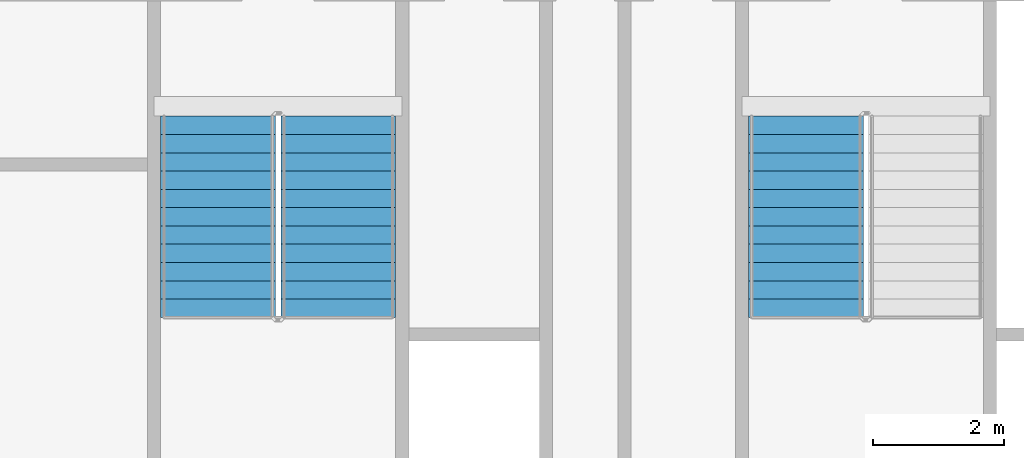
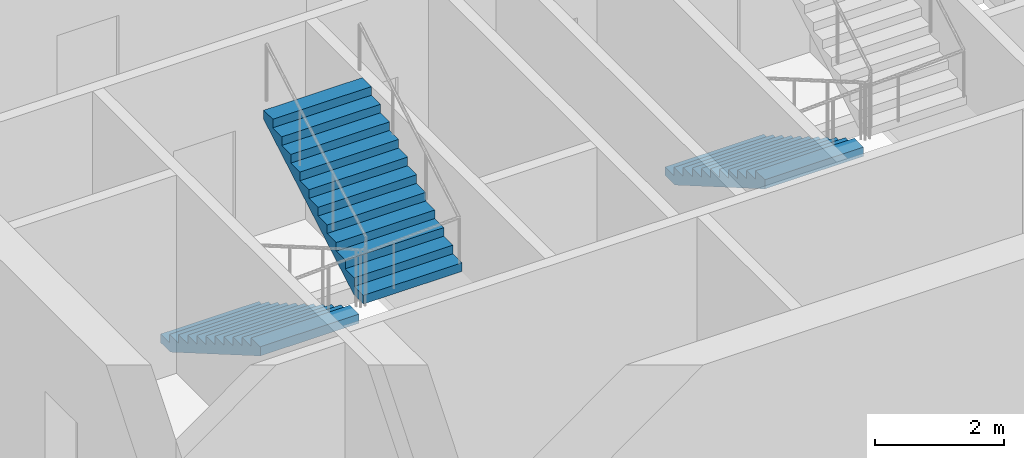
# One storey, part 14 of 21: 3 stair flights, 2 elements without a shape of their own.
"""IFC4 building model written with IfcOpenShell, lengths in metres."""

from ifc_helpers import new_model, si_unit, direction, frame, origin, place, context, subcontext, project, spatial, faceted_brep, material, type_object, element, aggregate, save


model = new_model("IFC4")

# Units and contexts
model_context = context("Model", 3, precision=1e-05, world=origin(), true_north=direction((0.0, 1.0)))
body_context = subcontext(model_context, "Body", "Model", "MODEL_VIEW")
ifc_project = project(units=[si_unit("LENGTHUNIT", "METRE"), si_unit("AREAUNIT", "SQUARE_METRE"), si_unit("VOLUMEUNIT", "CUBIC_METRE"), si_unit("PLANEANGLEUNIT", "RADIAN"), si_unit("MASSUNIT", "GRAM", prefix="KILO")], contexts=[model_context])

# Site, building, storey
site_placement = place(None, origin())
site = spatial("IfcSite", under=ifc_project, at=site_placement, CompositionType="ELEMENT")
building_placement = place(site_placement, origin())
building = spatial("IfcBuilding", under=site, at=building_placement, Name="Tarsis Ring Headquarters", CompositionType="ELEMENT")
storey_placement = place(building_placement, frame((0.0, 0.0, 223.800048828125)))
storey = spatial("IfcBuildingStorey", under=building, at=storey_placement, Name="L52", CompositionType="ELEMENT", Elevation=223.800048828125)

# Stair, stair flights
ifc_material_1 = material(Name="Core stair 1760")
stair_type = type_object("IfcStairType", Name="Core stair 1760", PredefinedType="HALF_TURN_STAIR", material=ifc_material_1)
stair_1_placement = place(storey_placement, origin())
stair_1 = element("IfcStair", 1, at=stair_1_placement, inside=storey, type_object=stair_type, Name="L52 Exit stair C", PredefinedType="HALF_TURN_STAIR")
ifc_material_2 = material(Name="Concrete C40/50", Category="concrete")
stair_flight_type = type_object("IfcStairFlightType", Name="Core stair flight 1760", PredefinedType="STRAIGHT", material=ifc_material_2)
stair_flight_1_placement = place(storey_placement, frame((-5.419921875, -3.659912109375, 0.0), z_axis=(0.0, 0.0, 1.0), x_axis=(0.0, -1.0, 0.0)))
stair_flight_1 = element("IfcStairFlight", 2, at=stair_flight_1_placement, type_object=stair_flight_type, Name="Stair ST3 flight 1", NumberOfRisers=12, NumberOfTreads=11, PredefinedType="STRAIGHT", RiserHeight=0.1625, TreadLength=0.28, context=body_context, shape_type="Brep", body=[
    faceted_brep([(0.0, 0.8798828125, 0.0), (0.0, 0.8798828125, 0.16259765625), (0.280029296875, 0.8798828125, 0.16259765625), (0.280029296875, 0.8798828125, 0.324951171875), (0.56005859375, 0.8798828125, 0.324951171875), (0.56005859375, 0.8798828125, 0.487548828125), (0.840087890625, 0.8798828125, 0.487548828125), (0.840087890625, 0.8798828125, 0.64990234375), (1.1201171875, 0.8798828125, 0.64990234375), (1.1201171875, 0.8798828125, 0.8125), (1.39990234375, 0.8798828125, 0.8125), (1.39990234375, 0.8798828125, 0.97509765625), (1.679931640625, 0.8798828125, 0.97509765625), (1.679931640625, 0.8798828125, 1.137451171875), (1.9599609375, 0.8798828125, 1.137451171875), (1.9599609375, 0.8798828125, 1.300048828125), (2.239990234375, 0.8798828125, 1.300048828125), (2.239990234375, 0.8798828125, 1.46240234375), (2.52001953125, 0.8798828125, 1.46240234375), (2.52001953125, 0.8798828125, 1.625), (2.800048828125, 0.8798828125, 1.625), (2.800048828125, 0.8798828125, 1.78759765625), (3.080078125, 0.8798828125, 1.78759765625), (3.080078125, 0.8798828125, 1.6142578125), (0.298583984375, 0.8798828125, 0.0), (0.298583984375, -0.8798828125, 0.0), (3.080078125, -0.8798828125, 1.6142578125), (3.080078125, -0.8798828125, 1.78759765625), (2.800048828125, -0.8798828125, 1.78759765625), (2.800048828125, -0.8798828125, 1.625), (2.52001953125, -0.8798828125, 1.625), (2.52001953125, -0.8798828125, 1.46240234375), (2.239990234375, -0.8798828125, 1.46240234375), (2.239990234375, -0.8798828125, 1.300048828125), (1.9599609375, -0.8798828125, 1.300048828125), (1.9599609375, -0.8798828125, 1.137451171875), (1.679931640625, -0.8798828125, 1.137451171875), (1.679931640625, -0.8798828125, 0.97509765625), (1.39990234375, -0.8798828125, 0.97509765625), (1.39990234375, -0.8798828125, 0.8125), (1.1201171875, -0.8798828125, 0.8125), (1.1201171875, -0.8798828125, 0.64990234375), (0.840087890625, -0.8798828125, 0.64990234375), (0.840087890625, -0.8798828125, 0.487548828125), (0.56005859375, -0.8798828125, 0.487548828125), (0.56005859375, -0.8798828125, 0.324951171875), (0.280029296875, -0.8798828125, 0.324951171875), (0.280029296875, -0.8798828125, 0.16259765625), (0.0, -0.8798828125, 0.16259765625), (0.0, -0.8798828125, 0.0), (0.0, -0.43994140625, 0.16259765625), (0.0, -0.43994140625, 0.0), (0.0, 0.0, 0.16259765625), (0.0, 0.0, 0.0), (0.0, 0.43994140625, 0.16259765625), (0.0, 0.43994140625, 0.0), (0.280029296875, -0.43994140625, 0.16259765625), (0.280029296875, 0.0, 0.16259765625), (0.280029296875, 0.43994140625, 0.16259765625), (0.280029296875, -0.43994140625, 0.324951171875), (0.280029296875, 0.0, 0.324951171875), (0.280029296875, 0.43994140625, 0.324951171875), (0.56005859375, -0.43994140625, 0.324951171875), (0.56005859375, 0.0, 0.324951171875), (0.56005859375, 0.43994140625, 0.324951171875), (0.56005859375, -0.43994140625, 0.487548828125), (0.56005859375, 0.0, 0.487548828125), (0.56005859375, 0.43994140625, 0.487548828125), (0.840087890625, -0.43994140625, 0.487548828125), (0.840087890625, 0.0, 0.487548828125), (0.840087890625, 0.43994140625, 0.487548828125), (0.840087890625, -0.43994140625, 0.64990234375), (0.840087890625, 0.0, 0.64990234375), (0.840087890625, 0.43994140625, 0.64990234375), (1.1201171875, -0.43994140625, 0.64990234375), (1.1201171875, 0.0, 0.64990234375), (1.1201171875, 0.43994140625, 0.64990234375), (1.1201171875, -0.43994140625, 0.8125), (1.1201171875, 0.0, 0.8125), (1.1201171875, 0.43994140625, 0.8125), (1.39990234375, -0.43994140625, 0.8125), (1.39990234375, 0.0, 0.8125), (1.39990234375, 0.43994140625, 0.8125), (1.39990234375, -0.43994140625, 0.97509765625), (1.39990234375, 0.0, 0.97509765625), (1.39990234375, 0.43994140625, 0.97509765625), (1.679931640625, -0.43994140625, 0.97509765625), (1.679931640625, 0.0, 0.97509765625), (1.679931640625, 0.43994140625, 0.97509765625), (1.679931640625, -0.43994140625, 1.137451171875), (1.679931640625, 0.0, 1.137451171875), (1.679931640625, 0.43994140625, 1.137451171875), (1.9599609375, -0.43994140625, 1.137451171875), (1.9599609375, 0.0, 1.137451171875), (1.9599609375, 0.43994140625, 1.137451171875), (1.9599609375, -0.43994140625, 1.300048828125), (1.9599609375, 0.0, 1.300048828125), (1.9599609375, 0.43994140625, 1.300048828125), (2.239990234375, -0.43994140625, 1.300048828125), (2.239990234375, 0.0, 1.300048828125), (2.239990234375, 0.43994140625, 1.300048828125), (2.239990234375, -0.43994140625, 1.46240234375), (2.239990234375, 0.0, 1.46240234375), (2.239990234375, 0.43994140625, 1.46240234375), (2.52001953125, -0.43994140625, 1.46240234375), (2.52001953125, 0.0, 1.46240234375), (2.52001953125, 0.43994140625, 1.46240234375), (2.52001953125, -0.43994140625, 1.625), (2.52001953125, 0.0, 1.625), (2.52001953125, 0.43994140625, 1.625), (2.800048828125, -0.43994140625, 1.625), (2.800048828125, 0.0, 1.625), (2.800048828125, 0.43994140625, 1.625), (2.800048828125, -0.43994140625, 1.78759765625), (2.800048828125, 0.0, 1.78759765625), (2.800048828125, 0.43994140625, 1.78759765625), (3.080078125, -0.43994140625, 1.78759765625), (3.080078125, 0.0, 1.78759765625), (3.080078125, 0.43994140625, 1.78759765625), (3.080078125, -0.43994140625, 1.6142578125), (3.080078125, 0.0, 1.6142578125), (3.080078125, 0.43994140625, 1.6142578125), (0.298583984375, -0.43994140625, 0.0), (0.298583984375, 0.0, 0.0), (0.298583984375, 0.43994140625, 0.0)], [[[0, 1, 2, 3, 4, 5, 6, 7, 8, 9, 10, 11, 12, 13, 14, 15, 16, 17, 18, 19, 20, 21, 22, 23, 24]], [[25, 26, 27, 28, 29, 30, 31, 32, 33, 34, 35, 36, 37, 38, 39, 40, 41, 42, 43, 44, 45, 46, 47, 48, 49]], [[49, 48, 50, 51]], [[51, 50, 52, 53]], [[53, 52, 54, 55]], [[55, 54, 1, 0]], [[48, 47, 56, 50]], [[50, 56, 57, 52]], [[52, 57, 58, 54]], [[54, 58, 2, 1]], [[47, 46, 59, 56]], [[56, 59, 60, 57]], [[57, 60, 61, 58]], [[58, 61, 3, 2]], [[46, 45, 62, 59]], [[59, 62, 63, 60]], [[60, 63, 64, 61]], [[61, 64, 4, 3]], [[45, 44, 65, 62]], [[62, 65, 66, 63]], [[63, 66, 67, 64]], [[64, 67, 5, 4]], [[44, 43, 68, 65]], [[65, 68, 69, 66]], [[66, 69, 70, 67]], [[67, 70, 6, 5]], [[43, 42, 71, 68]], [[68, 71, 72, 69]], [[69, 72, 73, 70]], [[70, 73, 7, 6]], [[42, 41, 74, 71]], [[71, 74, 75, 72]], [[72, 75, 76, 73]], [[73, 76, 8, 7]], [[41, 40, 77, 74]], [[74, 77, 78, 75]], [[75, 78, 79, 76]], [[76, 79, 9, 8]], [[40, 39, 80, 77]], [[77, 80, 81, 78]], [[78, 81, 82, 79]], [[79, 82, 10, 9]], [[39, 38, 83, 80]], [[80, 83, 84, 81]], [[81, 84, 85, 82]], [[82, 85, 11, 10]], [[38, 37, 86, 83]], [[83, 86, 87, 84]], [[84, 87, 88, 85]], [[85, 88, 12, 11]], [[37, 36, 89, 86]], [[86, 89, 90, 87]], [[87, 90, 91, 88]], [[88, 91, 13, 12]], [[36, 35, 92, 89]], [[89, 92, 93, 90]], [[90, 93, 94, 91]], [[91, 94, 14, 13]], [[35, 34, 95, 92]], [[92, 95, 96, 93]], [[93, 96, 97, 94]], [[94, 97, 15, 14]], [[34, 33, 98, 95]], [[95, 98, 99, 96]], [[96, 99, 100, 97]], [[97, 100, 16, 15]], [[33, 32, 101, 98]], [[98, 101, 102, 99]], [[99, 102, 103, 100]], [[100, 103, 17, 16]], [[32, 31, 104, 101]], [[101, 104, 105, 102]], [[102, 105, 106, 103]], [[103, 106, 18, 17]], [[31, 30, 107, 104]], [[104, 107, 108, 105]], [[105, 108, 109, 106]], [[106, 109, 19, 18]], [[30, 29, 110, 107]], [[107, 110, 111, 108]], [[108, 111, 112, 109]], [[109, 112, 20, 19]], [[29, 28, 113, 110]], [[110, 113, 114, 111]], [[111, 114, 115, 112]], [[112, 115, 21, 20]], [[28, 27, 116, 113]], [[113, 116, 117, 114]], [[114, 117, 118, 115]], [[115, 118, 22, 21]], [[27, 26, 119, 116]], [[116, 119, 120, 117]], [[117, 120, 121, 118]], [[118, 121, 23, 22]], [[26, 25, 122, 119]], [[119, 122, 123, 120]], [[120, 123, 124, 121]], [[121, 124, 24, 23]], [[25, 49, 51, 122]], [[122, 51, 53, 123]], [[123, 53, 55, 124]], [[124, 55, 0, 24]]]),
])
stair_flight_2_placement = place(storey_placement, frame((-3.580078125, -6.739990234375, 1.949951171875), z_axis=(0.0, 0.0, 1.0), x_axis=(0.0, 1.0, 0.0)))
stair_flight_2 = element("IfcStairFlight", 3, at=stair_flight_2_placement, type_object=stair_flight_type, Name="Stair ST3 flight 2", NumberOfRisers=12, NumberOfTreads=11, PredefinedType="STRAIGHT", RiserHeight=0.1625, TreadLength=0.28, context=body_context, shape_type="Brep", body=[
    faceted_brep([(0.0, 0.8798828125, 0.0), (0.0, 0.8798828125, 0.16259765625), (0.280029296875, 0.8798828125, 0.16259765625), (0.280029296875, 0.8798828125, 0.324951171875), (0.56005859375, 0.8798828125, 0.324951171875), (0.56005859375, 0.8798828125, 0.487548828125), (0.840087890625, 0.8798828125, 0.487548828125), (0.840087890625, 0.8798828125, 0.64990234375), (1.1201171875, 0.8798828125, 0.64990234375), (1.1201171875, 0.8798828125, 0.8125), (1.39990234375, 0.8798828125, 0.8125), (1.39990234375, 0.8798828125, 0.97509765625), (1.679931640625, 0.8798828125, 0.97509765625), (1.679931640625, 0.8798828125, 1.137451171875), (1.9599609375, 0.8798828125, 1.137451171875), (1.9599609375, 0.8798828125, 1.300048828125), (2.239990234375, 0.8798828125, 1.300048828125), (2.239990234375, 0.8798828125, 1.46240234375), (2.52001953125, 0.8798828125, 1.46240234375), (2.52001953125, 0.8798828125, 1.625), (2.800048828125, 0.8798828125, 1.625), (2.800048828125, 0.8798828125, 1.78759765625), (3.080078125, 0.8798828125, 1.78759765625), (3.080078125, 0.8798828125, 1.6142578125), (0.298583984375, 0.8798828125, 0.0), (0.298583984375, -0.8798828125, 0.0), (3.080078125, -0.8798828125, 1.6142578125), (3.080078125, -0.8798828125, 1.78759765625), (2.800048828125, -0.8798828125, 1.78759765625), (2.800048828125, -0.8798828125, 1.625), (2.52001953125, -0.8798828125, 1.625), (2.52001953125, -0.8798828125, 1.46240234375), (2.239990234375, -0.8798828125, 1.46240234375), (2.239990234375, -0.8798828125, 1.300048828125), (1.9599609375, -0.8798828125, 1.300048828125), (1.9599609375, -0.8798828125, 1.137451171875), (1.679931640625, -0.8798828125, 1.137451171875), (1.679931640625, -0.8798828125, 0.97509765625), (1.39990234375, -0.8798828125, 0.97509765625), (1.39990234375, -0.8798828125, 0.8125), (1.1201171875, -0.8798828125, 0.8125), (1.1201171875, -0.8798828125, 0.64990234375), (0.840087890625, -0.8798828125, 0.64990234375), (0.840087890625, -0.8798828125, 0.487548828125), (0.56005859375, -0.8798828125, 0.487548828125), (0.56005859375, -0.8798828125, 0.324951171875), (0.280029296875, -0.8798828125, 0.324951171875), (0.280029296875, -0.8798828125, 0.16259765625), (0.0, -0.8798828125, 0.16259765625), (0.0, -0.8798828125, 0.0), (0.0, -0.43994140625, 0.16259765625), (0.0, -0.43994140625, 0.0), (0.0, 0.0, 0.16259765625), (0.0, 0.0, 0.0), (0.0, 0.43994140625, 0.16259765625), (0.0, 0.43994140625, 0.0), (0.280029296875, -0.43994140625, 0.16259765625), (0.280029296875, 0.0, 0.16259765625), (0.280029296875, 0.43994140625, 0.16259765625), (0.280029296875, -0.43994140625, 0.324951171875), (0.280029296875, 0.0, 0.324951171875), (0.280029296875, 0.43994140625, 0.324951171875), (0.56005859375, -0.43994140625, 0.324951171875), (0.56005859375, 0.0, 0.324951171875), (0.56005859375, 0.43994140625, 0.324951171875), (0.56005859375, -0.43994140625, 0.487548828125), (0.56005859375, 0.0, 0.487548828125), (0.56005859375, 0.43994140625, 0.487548828125), (0.840087890625, -0.43994140625, 0.487548828125), (0.840087890625, 0.0, 0.487548828125), (0.840087890625, 0.43994140625, 0.487548828125), (0.840087890625, -0.43994140625, 0.64990234375), (0.840087890625, 0.0, 0.64990234375), (0.840087890625, 0.43994140625, 0.64990234375), (1.1201171875, -0.43994140625, 0.64990234375), (1.1201171875, 0.0, 0.64990234375), (1.1201171875, 0.43994140625, 0.64990234375), (1.1201171875, -0.43994140625, 0.8125), (1.1201171875, 0.0, 0.8125), (1.1201171875, 0.43994140625, 0.8125), (1.39990234375, -0.43994140625, 0.8125), (1.39990234375, 0.0, 0.8125), (1.39990234375, 0.43994140625, 0.8125), (1.39990234375, -0.43994140625, 0.97509765625), (1.39990234375, 0.0, 0.97509765625), (1.39990234375, 0.43994140625, 0.97509765625), (1.679931640625, -0.43994140625, 0.97509765625), (1.679931640625, 0.0, 0.97509765625), (1.679931640625, 0.43994140625, 0.97509765625), (1.679931640625, -0.43994140625, 1.137451171875), (1.679931640625, 0.0, 1.137451171875), (1.679931640625, 0.43994140625, 1.137451171875), (1.9599609375, -0.43994140625, 1.137451171875), (1.9599609375, 0.0, 1.137451171875), (1.9599609375, 0.43994140625, 1.137451171875), (1.9599609375, -0.43994140625, 1.300048828125), (1.9599609375, 0.0, 1.300048828125), (1.9599609375, 0.43994140625, 1.300048828125), (2.239990234375, -0.43994140625, 1.300048828125), (2.239990234375, 0.0, 1.300048828125), (2.239990234375, 0.43994140625, 1.300048828125), (2.239990234375, -0.43994140625, 1.46240234375), (2.239990234375, 0.0, 1.46240234375), (2.239990234375, 0.43994140625, 1.46240234375), (2.52001953125, -0.43994140625, 1.46240234375), (2.52001953125, 0.0, 1.46240234375), (2.52001953125, 0.43994140625, 1.46240234375), (2.52001953125, -0.43994140625, 1.625), (2.52001953125, 0.0, 1.625), (2.52001953125, 0.43994140625, 1.625), (2.800048828125, -0.43994140625, 1.625), (2.800048828125, 0.0, 1.625), (2.800048828125, 0.43994140625, 1.625), (2.800048828125, -0.43994140625, 1.78759765625), (2.800048828125, 0.0, 1.78759765625), (2.800048828125, 0.43994140625, 1.78759765625), (3.080078125, -0.43994140625, 1.78759765625), (3.080078125, 0.0, 1.78759765625), (3.080078125, 0.43994140625, 1.78759765625), (3.080078125, -0.43994140625, 1.6142578125), (3.080078125, 0.0, 1.6142578125), (3.080078125, 0.43994140625, 1.6142578125), (0.298583984375, -0.43994140625, 0.0), (0.298583984375, 0.0, 0.0), (0.298583984375, 0.43994140625, 0.0)], [[[0, 1, 2, 3, 4, 5, 6, 7, 8, 9, 10, 11, 12, 13, 14, 15, 16, 17, 18, 19, 20, 21, 22, 23, 24]], [[25, 26, 27, 28, 29, 30, 31, 32, 33, 34, 35, 36, 37, 38, 39, 40, 41, 42, 43, 44, 45, 46, 47, 48, 49]], [[49, 48, 50, 51]], [[51, 50, 52, 53]], [[53, 52, 54, 55]], [[55, 54, 1, 0]], [[48, 47, 56, 50]], [[50, 56, 57, 52]], [[52, 57, 58, 54]], [[54, 58, 2, 1]], [[47, 46, 59, 56]], [[56, 59, 60, 57]], [[57, 60, 61, 58]], [[58, 61, 3, 2]], [[46, 45, 62, 59]], [[59, 62, 63, 60]], [[60, 63, 64, 61]], [[61, 64, 4, 3]], [[45, 44, 65, 62]], [[62, 65, 66, 63]], [[63, 66, 67, 64]], [[64, 67, 5, 4]], [[44, 43, 68, 65]], [[65, 68, 69, 66]], [[66, 69, 70, 67]], [[67, 70, 6, 5]], [[43, 42, 71, 68]], [[68, 71, 72, 69]], [[69, 72, 73, 70]], [[70, 73, 7, 6]], [[42, 41, 74, 71]], [[71, 74, 75, 72]], [[72, 75, 76, 73]], [[73, 76, 8, 7]], [[41, 40, 77, 74]], [[74, 77, 78, 75]], [[75, 78, 79, 76]], [[76, 79, 9, 8]], [[40, 39, 80, 77]], [[77, 80, 81, 78]], [[78, 81, 82, 79]], [[79, 82, 10, 9]], [[39, 38, 83, 80]], [[80, 83, 84, 81]], [[81, 84, 85, 82]], [[82, 85, 11, 10]], [[38, 37, 86, 83]], [[83, 86, 87, 84]], [[84, 87, 88, 85]], [[85, 88, 12, 11]], [[37, 36, 89, 86]], [[86, 89, 90, 87]], [[87, 90, 91, 88]], [[88, 91, 13, 12]], [[36, 35, 92, 89]], [[89, 92, 93, 90]], [[90, 93, 94, 91]], [[91, 94, 14, 13]], [[35, 34, 95, 92]], [[92, 95, 96, 93]], [[93, 96, 97, 94]], [[94, 97, 15, 14]], [[34, 33, 98, 95]], [[95, 98, 99, 96]], [[96, 99, 100, 97]], [[97, 100, 16, 15]], [[33, 32, 101, 98]], [[98, 101, 102, 99]], [[99, 102, 103, 100]], [[100, 103, 17, 16]], [[32, 31, 104, 101]], [[101, 104, 105, 102]], [[102, 105, 106, 103]], [[103, 106, 18, 17]], [[31, 30, 107, 104]], [[104, 107, 108, 105]], [[105, 108, 109, 106]], [[106, 109, 19, 18]], [[30, 29, 110, 107]], [[107, 110, 111, 108]], [[108, 111, 112, 109]], [[109, 112, 20, 19]], [[29, 28, 113, 110]], [[110, 113, 114, 111]], [[111, 114, 115, 112]], [[112, 115, 21, 20]], [[28, 27, 116, 113]], [[113, 116, 117, 114]], [[114, 117, 118, 115]], [[115, 118, 22, 21]], [[27, 26, 119, 116]], [[116, 119, 120, 117]], [[117, 120, 121, 118]], [[118, 121, 23, 22]], [[26, 25, 122, 119]], [[119, 122, 123, 120]], [[120, 123, 124, 121]], [[121, 124, 24, 23]], [[25, 49, 51, 122]], [[122, 51, 53, 123]], [[123, 53, 55, 124]], [[124, 55, 0, 24]]]),
])
aggregate(stair_1, [stair_flight_1, stair_flight_2])

# Stair, stair flight
stair_2_placement = place(storey_placement, origin())
stair_2 = element("IfcStair", 4, at=stair_2_placement, inside=storey, type_object=stair_type, Name="L52 Exit stair D", PredefinedType="HALF_TURN_STAIR")
stair_flight_3_placement = place(storey_placement, frame((3.580078125, -3.659912109375, 0.0), z_axis=(0.0, 0.0, 1.0), x_axis=(0.0, -1.0, 0.0)))
stair_flight_3 = element("IfcStairFlight", 5, at=stair_flight_3_placement, type_object=stair_flight_type, Name="Stair ST4 flight 1", NumberOfRisers=12, NumberOfTreads=11, PredefinedType="STRAIGHT", RiserHeight=0.1625, TreadLength=0.28, context=body_context, shape_type="Brep", body=[
    faceted_brep([(0.0, 0.8798828125, 0.0), (0.0, 0.8798828125, 0.16259765625), (0.280029296875, 0.8798828125, 0.16259765625), (0.280029296875, 0.8798828125, 0.324951171875), (0.56005859375, 0.8798828125, 0.324951171875), (0.56005859375, 0.8798828125, 0.487548828125), (0.840087890625, 0.8798828125, 0.487548828125), (0.840087890625, 0.8798828125, 0.64990234375), (1.1201171875, 0.8798828125, 0.64990234375), (1.1201171875, 0.8798828125, 0.8125), (1.39990234375, 0.8798828125, 0.8125), (1.39990234375, 0.8798828125, 0.97509765625), (1.679931640625, 0.8798828125, 0.97509765625), (1.679931640625, 0.8798828125, 1.137451171875), (1.9599609375, 0.8798828125, 1.137451171875), (1.9599609375, 0.8798828125, 1.300048828125), (2.239990234375, 0.8798828125, 1.300048828125), (2.239990234375, 0.8798828125, 1.46240234375), (2.52001953125, 0.8798828125, 1.46240234375), (2.52001953125, 0.8798828125, 1.625), (2.800048828125, 0.8798828125, 1.625), (2.800048828125, 0.8798828125, 1.78759765625), (3.080078125, 0.8798828125, 1.78759765625), (3.080078125, 0.8798828125, 1.6142578125), (0.298583984375, 0.8798828125, 0.0), (0.298583984375, -0.8798828125, 0.0), (3.080078125, -0.8798828125, 1.6142578125), (3.080078125, -0.8798828125, 1.78759765625), (2.800048828125, -0.8798828125, 1.78759765625), (2.800048828125, -0.8798828125, 1.625), (2.52001953125, -0.8798828125, 1.625), (2.52001953125, -0.8798828125, 1.46240234375), (2.239990234375, -0.8798828125, 1.46240234375), (2.239990234375, -0.8798828125, 1.300048828125), (1.9599609375, -0.8798828125, 1.300048828125), (1.9599609375, -0.8798828125, 1.137451171875), (1.679931640625, -0.8798828125, 1.137451171875), (1.679931640625, -0.8798828125, 0.97509765625), (1.39990234375, -0.8798828125, 0.97509765625), (1.39990234375, -0.8798828125, 0.8125), (1.1201171875, -0.8798828125, 0.8125), (1.1201171875, -0.8798828125, 0.64990234375), (0.840087890625, -0.8798828125, 0.64990234375), (0.840087890625, -0.8798828125, 0.487548828125), (0.56005859375, -0.8798828125, 0.487548828125), (0.56005859375, -0.8798828125, 0.324951171875), (0.280029296875, -0.8798828125, 0.324951171875), (0.280029296875, -0.8798828125, 0.16259765625), (0.0, -0.8798828125, 0.16259765625), (0.0, -0.8798828125, 0.0), (0.0, -0.43994140625, 0.16259765625), (0.0, -0.43994140625, 0.0), (0.0, 0.0, 0.16259765625), (0.0, 0.0, 0.0), (0.0, 0.43994140625, 0.16259765625), (0.0, 0.43994140625, 0.0), (0.280029296875, -0.43994140625, 0.16259765625), (0.280029296875, 0.0, 0.16259765625), (0.280029296875, 0.43994140625, 0.16259765625), (0.280029296875, -0.43994140625, 0.324951171875), (0.280029296875, 0.0, 0.324951171875), (0.280029296875, 0.43994140625, 0.324951171875), (0.56005859375, -0.43994140625, 0.324951171875), (0.56005859375, 0.0, 0.324951171875), (0.56005859375, 0.43994140625, 0.324951171875), (0.56005859375, -0.43994140625, 0.487548828125), (0.56005859375, 0.0, 0.487548828125), (0.56005859375, 0.43994140625, 0.487548828125), (0.840087890625, -0.43994140625, 0.487548828125), (0.840087890625, 0.0, 0.487548828125), (0.840087890625, 0.43994140625, 0.487548828125), (0.840087890625, -0.43994140625, 0.64990234375), (0.840087890625, 0.0, 0.64990234375), (0.840087890625, 0.43994140625, 0.64990234375), (1.1201171875, -0.43994140625, 0.64990234375), (1.1201171875, 0.0, 0.64990234375), (1.1201171875, 0.43994140625, 0.64990234375), (1.1201171875, -0.43994140625, 0.8125), (1.1201171875, 0.0, 0.8125), (1.1201171875, 0.43994140625, 0.8125), (1.39990234375, -0.43994140625, 0.8125), (1.39990234375, 0.0, 0.8125), (1.39990234375, 0.43994140625, 0.8125), (1.39990234375, -0.43994140625, 0.97509765625), (1.39990234375, 0.0, 0.97509765625), (1.39990234375, 0.43994140625, 0.97509765625), (1.679931640625, -0.43994140625, 0.97509765625), (1.679931640625, 0.0, 0.97509765625), (1.679931640625, 0.43994140625, 0.97509765625), (1.679931640625, -0.43994140625, 1.137451171875), (1.679931640625, 0.0, 1.137451171875), (1.679931640625, 0.43994140625, 1.137451171875), (1.9599609375, -0.43994140625, 1.137451171875), (1.9599609375, 0.0, 1.137451171875), (1.9599609375, 0.43994140625, 1.137451171875), (1.9599609375, -0.43994140625, 1.300048828125), (1.9599609375, 0.0, 1.300048828125), (1.9599609375, 0.43994140625, 1.300048828125), (2.239990234375, -0.43994140625, 1.300048828125), (2.239990234375, 0.0, 1.300048828125), (2.239990234375, 0.43994140625, 1.300048828125), (2.239990234375, -0.43994140625, 1.46240234375), (2.239990234375, 0.0, 1.46240234375), (2.239990234375, 0.43994140625, 1.46240234375), (2.52001953125, -0.43994140625, 1.46240234375), (2.52001953125, 0.0, 1.46240234375), (2.52001953125, 0.43994140625, 1.46240234375), (2.52001953125, -0.43994140625, 1.625), (2.52001953125, 0.0, 1.625), (2.52001953125, 0.43994140625, 1.625), (2.800048828125, -0.43994140625, 1.625), (2.800048828125, 0.0, 1.625), (2.800048828125, 0.43994140625, 1.625), (2.800048828125, -0.43994140625, 1.78759765625), (2.800048828125, 0.0, 1.78759765625), (2.800048828125, 0.43994140625, 1.78759765625), (3.080078125, -0.43994140625, 1.78759765625), (3.080078125, 0.0, 1.78759765625), (3.080078125, 0.43994140625, 1.78759765625), (3.080078125, -0.43994140625, 1.6142578125), (3.080078125, 0.0, 1.6142578125), (3.080078125, 0.43994140625, 1.6142578125), (0.298583984375, -0.43994140625, 0.0), (0.298583984375, 0.0, 0.0), (0.298583984375, 0.43994140625, 0.0)], [[[0, 1, 2, 3, 4, 5, 6, 7, 8, 9, 10, 11, 12, 13, 14, 15, 16, 17, 18, 19, 20, 21, 22, 23, 24]], [[25, 26, 27, 28, 29, 30, 31, 32, 33, 34, 35, 36, 37, 38, 39, 40, 41, 42, 43, 44, 45, 46, 47, 48, 49]], [[49, 48, 50, 51]], [[51, 50, 52, 53]], [[53, 52, 54, 55]], [[55, 54, 1, 0]], [[48, 47, 56, 50]], [[50, 56, 57, 52]], [[52, 57, 58, 54]], [[54, 58, 2, 1]], [[47, 46, 59, 56]], [[56, 59, 60, 57]], [[57, 60, 61, 58]], [[58, 61, 3, 2]], [[46, 45, 62, 59]], [[59, 62, 63, 60]], [[60, 63, 64, 61]], [[61, 64, 4, 3]], [[45, 44, 65, 62]], [[62, 65, 66, 63]], [[63, 66, 67, 64]], [[64, 67, 5, 4]], [[44, 43, 68, 65]], [[65, 68, 69, 66]], [[66, 69, 70, 67]], [[67, 70, 6, 5]], [[43, 42, 71, 68]], [[68, 71, 72, 69]], [[69, 72, 73, 70]], [[70, 73, 7, 6]], [[42, 41, 74, 71]], [[71, 74, 75, 72]], [[72, 75, 76, 73]], [[73, 76, 8, 7]], [[41, 40, 77, 74]], [[74, 77, 78, 75]], [[75, 78, 79, 76]], [[76, 79, 9, 8]], [[40, 39, 80, 77]], [[77, 80, 81, 78]], [[78, 81, 82, 79]], [[79, 82, 10, 9]], [[39, 38, 83, 80]], [[80, 83, 84, 81]], [[81, 84, 85, 82]], [[82, 85, 11, 10]], [[38, 37, 86, 83]], [[83, 86, 87, 84]], [[84, 87, 88, 85]], [[85, 88, 12, 11]], [[37, 36, 89, 86]], [[86, 89, 90, 87]], [[87, 90, 91, 88]], [[88, 91, 13, 12]], [[36, 35, 92, 89]], [[89, 92, 93, 90]], [[90, 93, 94, 91]], [[91, 94, 14, 13]], [[35, 34, 95, 92]], [[92, 95, 96, 93]], [[93, 96, 97, 94]], [[94, 97, 15, 14]], [[34, 33, 98, 95]], [[95, 98, 99, 96]], [[96, 99, 100, 97]], [[97, 100, 16, 15]], [[33, 32, 101, 98]], [[98, 101, 102, 99]], [[99, 102, 103, 100]], [[100, 103, 17, 16]], [[32, 31, 104, 101]], [[101, 104, 105, 102]], [[102, 105, 106, 103]], [[103, 106, 18, 17]], [[31, 30, 107, 104]], [[104, 107, 108, 105]], [[105, 108, 109, 106]], [[106, 109, 19, 18]], [[30, 29, 110, 107]], [[107, 110, 111, 108]], [[108, 111, 112, 109]], [[109, 112, 20, 19]], [[29, 28, 113, 110]], [[110, 113, 114, 111]], [[111, 114, 115, 112]], [[112, 115, 21, 20]], [[28, 27, 116, 113]], [[113, 116, 117, 114]], [[114, 117, 118, 115]], [[115, 118, 22, 21]], [[27, 26, 119, 116]], [[116, 119, 120, 117]], [[117, 120, 121, 118]], [[118, 121, 23, 22]], [[26, 25, 122, 119]], [[119, 122, 123, 120]], [[120, 123, 124, 121]], [[121, 124, 24, 23]], [[25, 49, 51, 122]], [[122, 51, 53, 123]], [[123, 53, 55, 124]], [[124, 55, 0, 24]]]),
])
aggregate(stair_2, [stair_flight_3])

save(model, "model.ifc")
